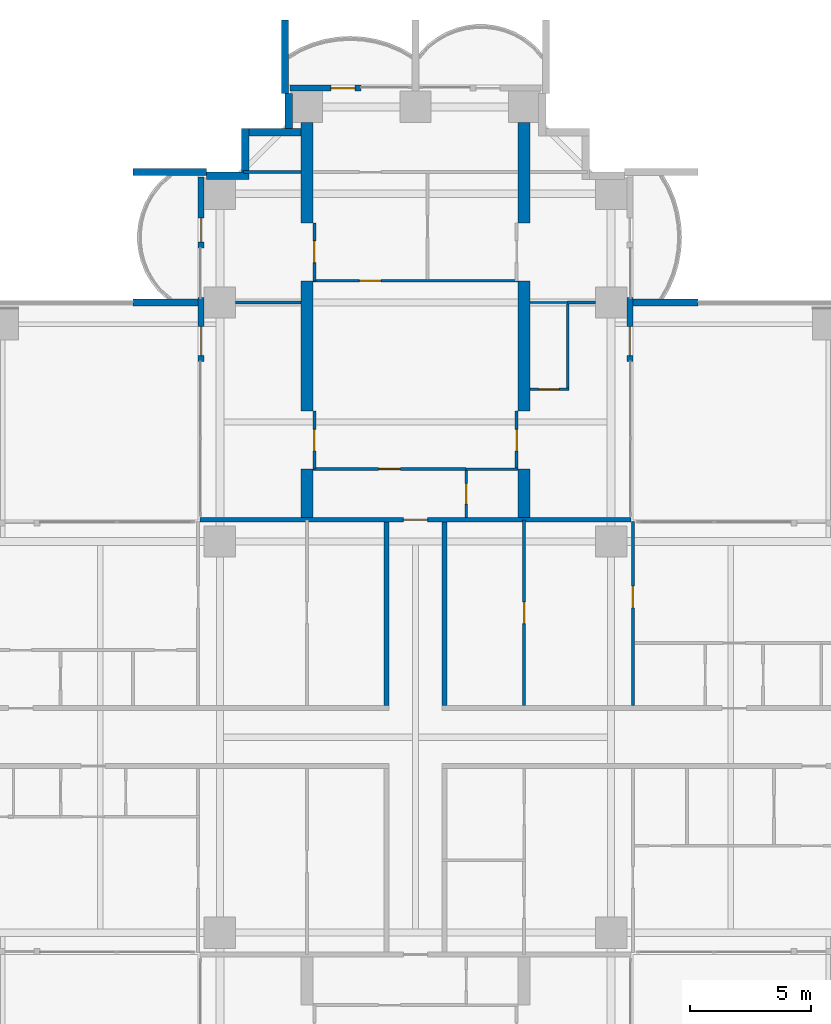
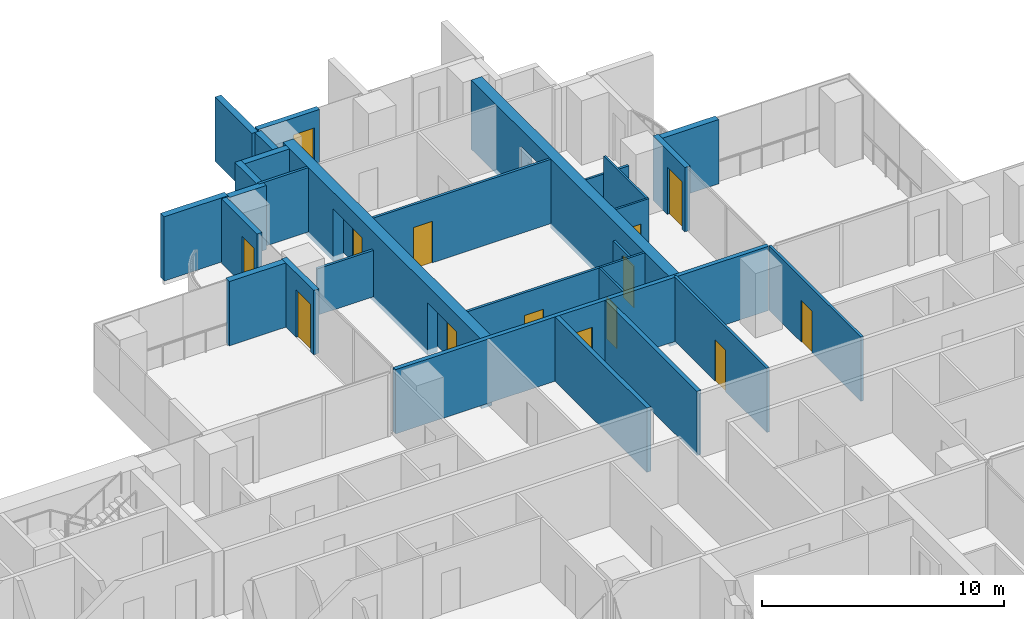
# One storey, part 14 of 20: 32 walls, 14 doors, 14 openings.
"""IFC4 building model written with IfcOpenShell, lengths in metres."""

from ifc_helpers import new_model, si_unit, direction, frame, frame_2d, origin, place, context, subcontext, project, spatial, polyline, rectangle, outline, extrude, material, layer, layer_set, material_profile, profile_set, type_object, element, fill, save


model = new_model("IFC4")

# Units and contexts
model_context = context("Model", 3, precision=1e-05, world=origin(), true_north=direction((0.0, 1.0)))
body_context = subcontext(model_context, "Body", "Model", "MODEL_VIEW")
ifc_project = project(units=[si_unit("LENGTHUNIT", "METRE"), si_unit("AREAUNIT", "SQUARE_METRE"), si_unit("VOLUMEUNIT", "CUBIC_METRE"), si_unit("PLANEANGLEUNIT", "RADIAN"), si_unit("MASSUNIT", "GRAM", prefix="KILO")], contexts=[model_context])

# Site, building, storey
site_placement = place(None, origin())
site = spatial("IfcSite", under=ifc_project, at=site_placement, CompositionType="ELEMENT")
building_placement = place(site_placement, origin())
building = spatial("IfcBuilding", under=site, at=building_placement, Name="Perihelion Cross Residences", CompositionType="ELEMENT")
storey_placement = place(building_placement, frame((0.0, 0.0, 78.5)))
storey = spatial("IfcBuildingStorey", under=building, at=storey_placement, Name="L17", CompositionType="ELEMENT", Elevation=78.5)

# Walls
ifc_material_1 = material(Name="Plasterboard partition")
ifc_layer_1 = layer(ifc_material_1, 0.199951171875)
ifc_layer_set_1 = layer_set([ifc_layer_1], Name="Apartment separation wall 200")
wall_type_1 = type_object("IfcWallType", Name="Apartment separation wall 200", PredefinedType="PARTITIONING", material=ifc_layer_set_1)
for number, where, z_axis, x_axis, name in (
    (1, (1.199951171875, 8.89990234375, 0.0), (0.0, 0.0, 1.0), (0.0, -1.0, 0.0), "Partition L17 W002"),
    (2, (-1.199951171875, 1.300048828125, 0.0), (0.0, 0.0, 1.0), (0.0, 1.0, 0.0), "Partition L17 W006"),
):
    element("IfcWall", number, at=place(storey_placement, frame(where, z_axis=z_axis, x_axis=x_axis)), inside=storey, type_object=wall_type_1, Name=name, PredefinedType="PARTITIONING", context=body_context, shape_type="SweptSolid", body=[
        extrude(rectangle(XDim=7.599853515625, YDim=0.199951171875, at=frame_2d((3.7998046875, 0.0))), origin(), (0.0, 0.0, 1.0), 3.25),
    ])

# Wall, opening, door
wall_1_placement = place(storey_placement, frame((-8.919921875, 9.0, 0.0), z_axis=(0.0, 0.0, 1.0), x_axis=(1.0, 0.0, 0.0)))
wall_1 = element("IfcWall", 3, at=wall_1_placement, inside=storey, type_object=wall_type_1, Name="Partition L17 W009", PredefinedType="PARTITIONING", context=body_context, shape_type="SweptSolid", body=[
    extrude(rectangle(XDim=17.83984375, YDim=0.199951171875, at=frame_2d((8.919921875, 0.0))), origin(), (0.0, 0.0, 1.0), 3.25),
])
opening_1_placement = place(wall_1_placement, frame((8.419921875, 0.0, 0.0)))
opening_1 = element("IfcOpeningElement", 4, at=opening_1_placement, cuts=wall_1, Name="Opening L17.A31", PredefinedType="OPENING", context=body_context, shape_type="SweptSolid", body=[
    extrude(rectangle(XDim=1.0, YDim=2.10009765625, at=frame_2d((0.5, 1.050048828125))), frame((0.0, 0.10986328125, 0.0), z_axis=(0.0, -1.0, 0.0), x_axis=(1.0, 0.0, 0.0)), (0.0, 0.0, 1.0), 0.219970703125),
])
ifc_material_2 = material(Name="Timber door leaf", Category="wood")
door_type_1 = type_object("IfcDoorType", Name="Flat entrance door 1000 x 2100", OperationType="SINGLE_SWING_LEFT", PredefinedType="DOOR", material=ifc_material_2)
door_1_placement = place(opening_1_placement, origin())
door_1 = element("IfcDoor", 5, at=door_1_placement, inside=storey, type_object=door_type_1, Name="Door L17.A31", OperationType="SINGLE_SWING_LEFT", OverallHeight=2.10009765625, OverallWidth=1.0, PredefinedType="DOOR", context=body_context, shape_type="SweptSolid", body=[
    extrude(rectangle(XDim=1.0, YDim=2.10009765625, at=frame_2d((0.5, 1.050048828125))), frame((0.0, 0.02490234375, 0.0), z_axis=(0.0, -1.0, 0.0), x_axis=(1.0, 0.0, 0.0)), (0.0, 0.0, 1.0), 0.050048828125),
])
fill(opening_1, door_1)

ifc_material_3 = material(Name="Concrete C30/37, bronze-clad", Category="concrete")
ifc_layer_2 = layer(ifc_material_3, 0.25)
ifc_layer_set_2 = layer_set([ifc_layer_2], Name="Bronze-clad pier wall 250")
wall_type_2 = type_object("IfcWallType", Name="Bronze-clad pier wall 250", PredefinedType="SOLIDWALL", material=ifc_layer_set_2)
wall_2_placement = place(storey_placement, frame((8.875, 15.550048828125, 0.0), z_axis=(0.0, 0.0, 1.0), x_axis=(0.0, 1.0, 0.0)))
wall_2 = element("IfcWall", 6, at=wall_2_placement, inside=storey, type_object=wall_type_2, Name="Wall FW1 L17 north side east bay 1 pier", PredefinedType="SOLIDWALL", context=body_context, shape_type="SweptSolid", body=[
    extrude(rectangle(XDim=2.64990234375, YDim=0.25, at=frame_2d((1.324951171875, 0.0))), origin(), (0.0, 0.0, 1.0), 3.25),
])
opening_2_placement = place(wall_2_placement, frame((0.25, 0.0, 0.0)))
opening_2 = element("IfcOpeningElement", 7, at=opening_2_placement, cuts=wall_2, Name="Opening L17.E02", PredefinedType="OPENING", context=body_context, shape_type="SweptSolid", body=[
    extrude(rectangle(XDim=1.199951171875, YDim=2.39990234375, at=frame_2d((0.60009765625, 1.199951171875))), frame((0.0, 0.135009765625, 0.0), z_axis=(0.0, -1.0, 0.0), x_axis=(1.0, 0.0, 0.0)), (0.0, 0.0, 1.0), 0.27001953125),
])
ifc_material_4 = material(Name="Bronze anodised aluminium, glazed", Category="aluminium")
door_type_2 = type_object("IfcDoorType", Name="Balcony door 1200 x 2400", OperationType="NOTDEFINED", PredefinedType="DOOR", material=ifc_material_4)
door_2_placement = place(opening_2_placement, origin())
door_2 = element("IfcDoor", 8, at=door_2_placement, inside=storey, type_object=door_type_2, Name="Door L17.E02 north side east bay 1", OperationType="SINGLE_SWING_LEFT", OverallHeight=2.39990234375, OverallWidth=1.199951171875, PredefinedType="DOOR", context=body_context, shape_type="SweptSolid", body=[
    extrude(rectangle(XDim=1.199951171875, YDim=2.39990234375, at=frame_2d((0.60009765625, 1.199951171875))), frame((0.0, 0.02490234375, 0.0), z_axis=(0.0, -1.0, 0.0), x_axis=(1.0, 0.0, 0.0)), (0.0, 0.0, 1.0), 0.050048828125),
])
fill(opening_2, door_2)

wall_3_placement = place(storey_placement, frame((-2.25, 26.875, 0.0), z_axis=(0.0, 0.0, 1.0), x_axis=(-1.0, 0.0, 0.0)))
wall_3 = element("IfcWall", 9, at=wall_3_placement, inside=storey, type_object=wall_type_2, Name="Wall FW1 L17 north tip north bay 2 pier", PredefinedType="SOLIDWALL", context=body_context, shape_type="SweptSolid", body=[
    extrude(rectangle(XDim=2.949951171875, YDim=0.25, at=frame_2d((1.47509765625, 0.0))), origin(), (0.0, 0.0, 1.0), 3.25),
])
opening_3_placement = place(wall_3_placement, frame((0.25, 0.0, 0.0)))
opening_3 = element("IfcOpeningElement", 10, at=opening_3_placement, cuts=wall_3, Name="Opening L17.E05", PredefinedType="OPENING", context=body_context, shape_type="SweptSolid", body=[
    extrude(rectangle(XDim=1.0, YDim=2.39990234375, at=frame_2d((0.5, 1.199951171875))), frame((0.0, 0.135009765625, 0.0), z_axis=(0.0, -1.0, 0.0), x_axis=(1.0, 0.0, 0.0)), (0.0, 0.0, 1.0), 0.27001953125),
])
ifc_material_5 = material(Name="Bronze anodised aluminium, glazed", Category="aluminium")
door_type_3 = type_object("IfcDoorType", Name="Balcony door 1000 x 2400", OperationType="NOTDEFINED", PredefinedType="DOOR", material=ifc_material_5)
door_3_placement = place(opening_3_placement, origin())
door_3 = element("IfcDoor", 11, at=door_3_placement, inside=storey, type_object=door_type_3, Name="Door L17.E05 north tip north bay 2", OperationType="SINGLE_SWING_RIGHT", OverallHeight=2.39990234375, OverallWidth=1.0, PredefinedType="DOOR", context=body_context, shape_type="SweptSolid", body=[
    extrude(rectangle(XDim=1.0, YDim=2.39990234375, at=frame_2d((0.5, 1.199951171875))), frame((0.0, 0.02490234375, 0.0), z_axis=(0.0, -1.0, 0.0), x_axis=(1.0, 0.0, 0.0)), (0.0, 0.0, 1.0), 0.050048828125),
])
fill(opening_3, door_3)

wall_4_placement = place(storey_placement, frame((-8.875, 23.199951171875, 0.0), z_axis=(0.0, 0.0, 1.0), x_axis=(0.0, -1.0, 0.0)))
wall_4 = element("IfcWall", 12, at=wall_4_placement, inside=storey, type_object=wall_type_2, Name="Wall FW1 L17 north side west bay 1 pier", PredefinedType="SOLIDWALL", context=body_context, shape_type="SweptSolid", body=[
    extrude(rectangle(XDim=2.949951171875, YDim=0.25, at=frame_2d((1.47509765625, 0.0))), origin(), (0.0, 0.0, 1.0), 3.25),
])
opening_4_placement = place(wall_4_placement, frame((1.699951171875, 0.0, 0.0)))
opening_4 = element("IfcOpeningElement", 13, at=opening_4_placement, cuts=wall_4, Name="Opening L17.E06", PredefinedType="OPENING", context=body_context, shape_type="SweptSolid", body=[
    extrude(rectangle(XDim=1.0, YDim=2.39990234375, at=frame_2d((0.5, 1.199951171875))), frame((0.0, 0.135009765625, 0.0), z_axis=(0.0, -1.0, 0.0), x_axis=(1.0, 0.0, 0.0)), (0.0, 0.0, 1.0), 0.27001953125),
])
door_4_placement = place(opening_4_placement, origin())
door_4 = element("IfcDoor", 14, at=door_4_placement, inside=storey, type_object=door_type_3, Name="Door L17.E06 north side west bay 1", OperationType="SINGLE_SWING_LEFT", OverallHeight=2.39990234375, OverallWidth=1.0, PredefinedType="DOOR", context=body_context, shape_type="SweptSolid", body=[
    extrude(rectangle(XDim=1.0, YDim=2.39990234375, at=frame_2d((0.5, 1.199951171875))), frame((0.0, 0.02490234375, 0.0), z_axis=(0.0, -1.0, 0.0), x_axis=(1.0, 0.0, 0.0)), (0.0, 0.0, 1.0), 0.050048828125),
])
fill(opening_4, door_4)

wall_5_placement = place(storey_placement, frame((-8.875, 18.199951171875, 0.0), z_axis=(0.0, 0.0, 1.0), x_axis=(0.0, -1.0, 0.0)))
wall_5 = element("IfcWall", 15, at=wall_5_placement, inside=storey, type_object=wall_type_2, Name="Wall FW1 L17 north side west bay 2 pier", PredefinedType="SOLIDWALL", context=body_context, shape_type="SweptSolid", body=[
    extrude(rectangle(XDim=2.64990234375, YDim=0.25, at=frame_2d((1.324951171875, 0.0))), origin(), (0.0, 0.0, 1.0), 3.25),
])
opening_5_placement = place(wall_5_placement, frame((1.199951171875, 0.0, 0.0)))
opening_5 = element("IfcOpeningElement", 16, at=opening_5_placement, cuts=wall_5, Name="Opening L17.E07", PredefinedType="OPENING", context=body_context, shape_type="SweptSolid", body=[
    extrude(rectangle(XDim=1.199951171875, YDim=2.39990234375, at=frame_2d((0.60009765625, 1.199951171875))), frame((0.0, 0.135009765625, 0.0), z_axis=(0.0, -1.0, 0.0), x_axis=(1.0, 0.0, 0.0)), (0.0, 0.0, 1.0), 0.27001953125),
])
door_5_placement = place(opening_5_placement, origin())
door_5 = element("IfcDoor", 17, at=door_5_placement, inside=storey, type_object=door_type_2, Name="Door L17.E07 north side west bay 2", OperationType="SINGLE_SWING_RIGHT", OverallHeight=2.39990234375, OverallWidth=1.199951171875, PredefinedType="DOOR", context=body_context, shape_type="SweptSolid", body=[
    extrude(rectangle(XDim=1.199951171875, YDim=2.39990234375, at=frame_2d((0.60009765625, 1.199951171875))), frame((0.0, 0.02490234375, 0.0), z_axis=(0.0, -1.0, 0.0), x_axis=(1.0, 0.0, 0.0)), (0.0, 0.0, 1.0), 0.050048828125),
])
fill(opening_5, door_5)

# Walls
ifc_material_6 = material(Name="Concrete C30/37, bronze-clad", Category="concrete")
ifc_layer_3 = layer(ifc_material_6, 0.300048828125)
ifc_layer_set_3 = layer_set([ifc_layer_3], Name="Bronze-clad serration wall 300")
wall_type_3 = type_object("IfcWallType", Name="Bronze-clad serration wall 300", PredefinedType="SOLIDWALL", material=ifc_layer_set_3)
wall_6_placement = place(storey_placement, frame((-5.25, 26.64990234375, 0.0), z_axis=(0.0, 0.0, 1.0), x_axis=(0.0, -1.0, 0.0)))
element("IfcWall", 18, at=wall_6_placement, inside=storey, type_object=wall_type_3, Name="Wall SR1 L17 north corner north-west 1", PredefinedType="SOLIDWALL", context=body_context, shape_type="SweptSolid", body=[
    extrude(rectangle(XDim=1.449951171875, YDim=0.300048828125, at=frame_2d((0.72509765625, 0.0))), origin(), (0.0, 0.0, 1.0), 3.25),
])
wall_7_placement = place(storey_placement, frame((-4.75, 25.050048828125, 0.0), z_axis=(0.0, 0.0, 1.0), x_axis=(-1.0, 0.0, 0.0)))
element("IfcWall", 19, at=wall_7_placement, inside=storey, type_object=wall_type_3, Name="Wall SR1 L17 north corner north-west 2", PredefinedType="SOLIDWALL", context=body_context, shape_type="SweptSolid", body=[
    extrude(rectangle(XDim=2.14990234375, YDim=0.300048828125, at=frame_2d((1.074951171875, 0.0))), origin(), (0.0, 0.0, 1.0), 3.25),
])
wall_8_placement = place(storey_placement, frame((-7.050048828125, 25.199951171875, 0.0), z_axis=(0.0, 0.0, 1.0), x_axis=(0.0, -1.0, 0.0)))
element("IfcWall", 20, at=wall_8_placement, inside=storey, type_object=wall_type_3, Name="Wall SR1 L17 north corner north-west 3", PredefinedType="SOLIDWALL", context=body_context, shape_type="SweptSolid", body=[
    extrude(rectangle(XDim=1.800048828125, YDim=0.300048828125, at=frame_2d((0.89990234375, 0.0))), origin(), (0.0, 0.0, 1.0), 3.25),
])
wall_9_placement = place(storey_placement, frame((-6.89990234375, 23.25, 0.0), z_axis=(0.0, 0.0, 1.0), x_axis=(-1.0, 0.0, 0.0)))
element("IfcWall", 21, at=wall_9_placement, inside=storey, type_object=wall_type_3, Name="Wall SR1 L17 north corner north-west 4", PredefinedType="SOLIDWALL", context=body_context, shape_type="SweptSolid", body=[
    extrude(rectangle(XDim=1.75, YDim=0.300048828125, at=frame_2d((0.875, 0.0))), origin(), (0.0, 0.0, 1.0), 3.25),
])

# Wall, opening, door
ifc_material_7 = material(Name="Plasterboard partition")
ifc_layer_4 = layer(ifc_material_7, 0.1201171875)
ifc_layer_set_4 = layer_set([ifc_layer_4], Name="Infill panel 120")
wall_type_4 = type_object("IfcWallType", Name="Infill panel 120", PredefinedType="PARTITIONING", material=ifc_layer_set_4)
wall_10_placement = place(storey_placement, frame((4.18994140625, 11.10009765625, 0.0), z_axis=(0.0, 0.0, 1.0), x_axis=(0.0, 1.0, 0.0)))
wall_10 = element("IfcWall", 22, at=wall_10_placement, inside=storey, type_object=wall_type_4, Name="Partition L17 WI01", PredefinedType="PARTITIONING", context=body_context, shape_type="SweptSolid", body=[
    extrude(rectangle(XDim=2.39990234375, YDim=0.1201171875, at=frame_2d((1.199951171875, 0.0))), origin(), (0.0, 0.0, 1.0), 2.39990234375),
])
opening_6_placement = place(wall_10_placement, frame((0.75, 0.0, 0.0)))
opening_6 = element("IfcOpeningElement", 23, at=opening_6_placement, cuts=wall_10, Name="Opening L17.A49", PredefinedType="OPENING", context=body_context, shape_type="SweptSolid", body=[
    extrude(rectangle(XDim=0.89990234375, YDim=2.10009765625, at=frame_2d((0.449951171875, 1.050048828125))), frame((0.0, 0.070068359375, 0.0), z_axis=(0.0, -1.0, 0.0), x_axis=(1.0, 0.0, 0.0)), (0.0, 0.0, 1.0), 0.14013671875),
])
ifc_material_8 = material(Name="Timber door leaf", Category="wood")
door_type_4 = type_object("IfcDoorType", Name="Interior room door 900 x 2100", OperationType="SINGLE_SWING_LEFT", PredefinedType="DOOR", material=ifc_material_8)
door_6_placement = place(opening_6_placement, origin())
door_6 = element("IfcDoor", 24, at=door_6_placement, inside=storey, type_object=door_type_4, Name="Door L17.A49", OperationType="SINGLE_SWING_LEFT", OverallHeight=2.10009765625, OverallWidth=0.89990234375, PredefinedType="DOOR", context=body_context, shape_type="SweptSolid", body=[
    extrude(rectangle(XDim=0.89990234375, YDim=2.10009765625, at=frame_2d((0.449951171875, 1.050048828125))), frame((0.0, 0.02490234375, 0.0), z_axis=(0.0, -1.0, 0.0), x_axis=(1.0, 0.0, 0.0)), (0.0, 0.0, 1.0), 0.050048828125),
])
fill(opening_6, door_6)

wall_11_placement = place(storey_placement, frame((-4.18994140625, 11.10009765625, 0.0), z_axis=(0.0, 0.0, 1.0), x_axis=(0.0, 1.0, 0.0)))
wall_11 = element("IfcWall", 25, at=wall_11_placement, inside=storey, type_object=wall_type_4, Name="Partition L17 WI03", PredefinedType="PARTITIONING", context=body_context, shape_type="SweptSolid", body=[
    extrude(rectangle(XDim=2.39990234375, YDim=0.1201171875, at=frame_2d((1.199951171875, 0.0))), origin(), (0.0, 0.0, 1.0), 2.39990234375),
])
opening_7_placement = place(wall_11_placement, frame((0.75, 0.0, 0.0)))
opening_7 = element("IfcOpeningElement", 26, at=opening_7_placement, cuts=wall_11, Name="Opening L17.A51", PredefinedType="OPENING", context=body_context, shape_type="SweptSolid", body=[
    extrude(rectangle(XDim=0.89990234375, YDim=2.10009765625, at=frame_2d((0.449951171875, 1.050048828125))), frame((0.0, 0.070068359375, 0.0), z_axis=(0.0, -1.0, 0.0), x_axis=(1.0, 0.0, 0.0)), (0.0, 0.0, 1.0), 0.14013671875),
])
door_7_placement = place(opening_7_placement, origin())
door_7 = element("IfcDoor", 27, at=door_7_placement, inside=storey, type_object=door_type_4, Name="Door L17.A51", OperationType="SINGLE_SWING_RIGHT", OverallHeight=2.10009765625, OverallWidth=0.89990234375, PredefinedType="DOOR", context=body_context, shape_type="SweptSolid", body=[
    extrude(rectangle(XDim=0.89990234375, YDim=2.10009765625, at=frame_2d((0.449951171875, 1.050048828125))), frame((0.0, 0.02490234375, 0.0), z_axis=(0.0, -1.0, 0.0), x_axis=(1.0, 0.0, 0.0)), (0.0, 0.0, 1.0), 0.050048828125),
])
fill(opening_7, door_7)

wall_12_placement = place(storey_placement, frame((-4.18994140625, 18.89990234375, 0.0), z_axis=(0.0, 0.0, 1.0), x_axis=(0.0, 1.0, 0.0)))
wall_12 = element("IfcWall", 28, at=wall_12_placement, inside=storey, type_object=wall_type_4, Name="Partition L17 WI04", PredefinedType="PARTITIONING", context=body_context, shape_type="SweptSolid", body=[
    extrude(rectangle(XDim=2.400146484375, YDim=0.1201171875, at=frame_2d((1.2001953125, 0.0))), origin(), (0.0, 0.0, 1.0), 2.39990234375),
])
opening_8_placement = place(wall_12_placement, frame((0.75, 0.0, 0.0)))
opening_8 = element("IfcOpeningElement", 29, at=opening_8_placement, cuts=wall_12, Name="Opening L17.A52", PredefinedType="OPENING", context=body_context, shape_type="SweptSolid", body=[
    extrude(rectangle(XDim=0.89990234375, YDim=2.10009765625, at=frame_2d((0.449951171875, 1.050048828125))), frame((0.0, 0.070068359375, 0.0), z_axis=(0.0, -1.0, 0.0), x_axis=(1.0, 0.0, 0.0)), (0.0, 0.0, 1.0), 0.14013671875),
])
door_8_placement = place(opening_8_placement, origin())
door_8 = element("IfcDoor", 30, at=door_8_placement, inside=storey, type_object=door_type_4, Name="Door L17.A52", OperationType="SINGLE_SWING_LEFT", OverallHeight=2.10009765625, OverallWidth=0.89990234375, PredefinedType="DOOR", context=body_context, shape_type="SweptSolid", body=[
    extrude(rectangle(XDim=0.89990234375, YDim=2.10009765625, at=frame_2d((0.449951171875, 1.050048828125))), frame((0.0, 0.02490234375, 0.0), z_axis=(0.0, -1.0, 0.0), x_axis=(1.0, 0.0, 0.0)), (0.0, 0.0, 1.0), 0.050048828125),
])
fill(opening_8, door_8)

ifc_material_9 = material(Name="Plasterboard partition")
ifc_layer_5 = layer(ifc_material_9, 0.1201171875)
ifc_layer_set_5 = layer_set([ifc_layer_5], Name="Partition wall 120")
wall_type_5 = type_object("IfcWallType", Name="Partition wall 120", PredefinedType="PARTITIONING", material=ifc_layer_set_5)
wall_13_placement = place(storey_placement, frame((9.0, 1.300048828125, 0.0), z_axis=(0.0, 0.0, 1.0), x_axis=(0.0, 1.0, 0.0)))
wall_13 = element("IfcWall", 31, at=wall_13_placement, inside=storey, type_object=wall_type_5, Name="Partition L17 W013", PredefinedType="PARTITIONING", context=body_context, shape_type="SweptSolid", body=[
    extrude(rectangle(XDim=7.619873046875, YDim=0.1201171875, at=frame_2d((3.81005859375, 0.0))), origin(), (0.0, 0.0, 1.0), 3.25),
])
opening_9_placement = place(wall_13_placement, frame((4.050048828125, 0.0, 0.0)))
opening_9 = element("IfcOpeningElement", 32, at=opening_9_placement, cuts=wall_13, Name="Opening L17.A06", PredefinedType="OPENING", context=body_context, shape_type="SweptSolid", body=[
    extrude(rectangle(XDim=0.89990234375, YDim=2.10009765625, at=frame_2d((0.449951171875, 1.050048828125))), frame((0.0, 0.070068359375, 0.0), z_axis=(0.0, -1.0, 0.0), x_axis=(1.0, 0.0, 0.0)), (0.0, 0.0, 1.0), 0.14013671875),
])
door_9_placement = place(opening_9_placement, origin())
door_9 = element("IfcDoor", 33, at=door_9_placement, inside=storey, type_object=door_type_4, Name="Door L17.A06", OperationType="SINGLE_SWING_RIGHT", OverallHeight=2.10009765625, OverallWidth=0.89990234375, PredefinedType="DOOR", context=body_context, shape_type="SweptSolid", body=[
    extrude(rectangle(XDim=0.89990234375, YDim=2.10009765625, at=frame_2d((0.449951171875, 1.050048828125))), frame((0.0, 0.02490234375, 0.0), z_axis=(0.0, -1.0, 0.0), x_axis=(1.0, 0.0, 0.0)), (0.0, 0.0, 1.0), 0.050048828125),
])
fill(opening_9, door_9)

wall_14_placement = place(storey_placement, frame((4.5, 1.300048828125, 0.0), z_axis=(0.0, 0.0, 1.0), x_axis=(0.0, 1.0, 0.0)))
wall_14 = element("IfcWall", 34, at=wall_14_placement, inside=storey, type_object=wall_type_5, Name="Partition L17 W019", PredefinedType="PARTITIONING", context=body_context, shape_type="SweptSolid", body=[
    extrude(rectangle(XDim=7.699951171875, YDim=0.1201171875, at=frame_2d((3.85009765625, 0.0))), origin(), (0.0, 0.0, 1.0), 3.25),
])
opening_10_placement = place(wall_14_placement, frame((3.39990234375, 0.0, 0.0)))
opening_10 = element("IfcOpeningElement", 35, at=opening_10_placement, cuts=wall_14, Name="Opening L17.A02", PredefinedType="OPENING", context=body_context, shape_type="SweptSolid", body=[
    extrude(rectangle(XDim=0.89990234375, YDim=2.10009765625, at=frame_2d((0.449951171875, 1.050048828125))), frame((0.0, 0.070068359375, 0.0), z_axis=(0.0, -1.0, 0.0), x_axis=(1.0, 0.0, 0.0)), (0.0, 0.0, 1.0), 0.14013671875),
])
door_10_placement = place(opening_10_placement, origin())
door_10 = element("IfcDoor", 36, at=door_10_placement, inside=storey, type_object=door_type_4, Name="Door L17.A02", OperationType="SINGLE_SWING_LEFT", OverallHeight=2.10009765625, OverallWidth=0.89990234375, PredefinedType="DOOR", context=body_context, shape_type="SweptSolid", body=[
    extrude(rectangle(XDim=0.89990234375, YDim=2.10009765625, at=frame_2d((0.449951171875, 1.050048828125))), frame((0.0, 0.02490234375, 0.0), z_axis=(0.0, -1.0, 0.0), x_axis=(1.0, 0.0, 0.0)), (0.0, 0.0, 1.0), 0.050048828125),
])
fill(opening_10, door_10)

wall_15_placement = place(storey_placement, frame((-4.25, 11.10009765625, 0.0), z_axis=(0.0, 0.0, 1.0), x_axis=(1.0, 0.0, 0.0)))
wall_15 = element("IfcWall", 37, at=wall_15_placement, inside=storey, type_object=wall_type_5, Name="Partition L17 W049", PredefinedType="PARTITIONING", context=body_context, shape_type="SweptSolid", body=[
    extrude(rectangle(XDim=6.35009765625, YDim=0.1201171875, at=frame_2d((3.175048828125, 0.0))), origin(), (0.0, 0.0, 1.0), 3.25),
])
opening_11_placement = place(wall_15_placement, frame((2.72509765625, 0.0, 0.0)))
opening_11 = element("IfcOpeningElement", 38, at=opening_11_placement, cuts=wall_15, Name="Opening L17.A33", PredefinedType="OPENING", context=body_context, shape_type="SweptSolid", body=[
    extrude(rectangle(XDim=0.89990234375, YDim=2.10009765625, at=frame_2d((0.449951171875, 1.050048828125))), frame((0.0, 0.070068359375, 0.0), z_axis=(0.0, -1.0, 0.0), x_axis=(1.0, 0.0, 0.0)), (0.0, 0.0, 1.0), 0.14013671875),
])
door_11_placement = place(opening_11_placement, origin())
door_11 = element("IfcDoor", 39, at=door_11_placement, inside=storey, type_object=door_type_4, Name="Door L17.A33", OperationType="SINGLE_SWING_RIGHT", OverallHeight=2.10009765625, OverallWidth=0.89990234375, PredefinedType="DOOR", context=body_context, shape_type="SweptSolid", body=[
    extrude(rectangle(XDim=0.89990234375, YDim=2.10009765625, at=frame_2d((0.449951171875, 1.050048828125))), frame((0.0, 0.02490234375, 0.0), z_axis=(0.0, -1.0, 0.0), x_axis=(1.0, 0.0, 0.0)), (0.0, 0.0, 1.0), 0.050048828125),
])
fill(opening_11, door_11)

wall_16_placement = place(storey_placement, frame((-4.25, 18.89990234375, 0.0), z_axis=(0.0, 0.0, 1.0), x_axis=(1.0, 0.0, 0.0)))
wall_16 = element("IfcWall", 40, at=wall_16_placement, inside=storey, type_object=wall_type_5, Name="Partition L17 W051", PredefinedType="PARTITIONING", context=body_context, shape_type="SweptSolid", body=[
    extrude(rectangle(XDim=8.5, YDim=0.1201171875, at=frame_2d((4.25, 0.0))), origin(), (0.0, 0.0, 1.0), 3.25),
])
opening_12_placement = place(wall_16_placement, frame((1.925048828125, 0.0, 0.0)))
opening_12 = element("IfcOpeningElement", 41, at=opening_12_placement, cuts=wall_16, Name="Opening L17.A34", PredefinedType="OPENING", context=body_context, shape_type="SweptSolid", body=[
    extrude(rectangle(XDim=0.89990234375, YDim=2.10009765625, at=frame_2d((0.449951171875, 1.050048828125))), frame((0.0, 0.070068359375, 0.0), z_axis=(0.0, -1.0, 0.0), x_axis=(1.0, 0.0, 0.0)), (0.0, 0.0, 1.0), 0.14013671875),
])
door_12_placement = place(opening_12_placement, origin())
door_12 = element("IfcDoor", 42, at=door_12_placement, inside=storey, type_object=door_type_4, Name="Door L17.A34", OperationType="SINGLE_SWING_LEFT", OverallHeight=2.10009765625, OverallWidth=0.89990234375, PredefinedType="DOOR", context=body_context, shape_type="SweptSolid", body=[
    extrude(rectangle(XDim=0.89990234375, YDim=2.10009765625, at=frame_2d((0.449951171875, 1.050048828125))), frame((0.0, 0.02490234375, 0.0), z_axis=(0.0, -1.0, 0.0), x_axis=(1.0, 0.0, 0.0)), (0.0, 0.0, 1.0), 0.050048828125),
])
fill(opening_12, door_12)

# Walls
wall_17_placement = place(storey_placement, frame((6.300048828125, 18.0, 0.0), z_axis=(0.0, 0.0, 1.0), x_axis=(1.0, 0.0, 0.0)))
element("IfcWall", 43, at=wall_17_placement, inside=storey, type_object=wall_type_5, Name="Partition L17 W056", PredefinedType="PARTITIONING", context=body_context, shape_type="SweptSolid", body=[
    extrude(rectangle(XDim=1.14990234375, YDim=0.1201171875, at=frame_2d((0.574951171875, 0.0))), origin(), (0.0, 0.0, 1.0), 2.345947265625),
])
wall_18_placement = place(storey_placement, frame((-7.449951171875, 18.0, 0.0), z_axis=(0.0, 0.0, 1.0), x_axis=(1.0, 0.0, 0.0)))
element("IfcWall", 44, at=wall_18_placement, inside=storey, type_object=wall_type_5, Name="Partition L17 W059", PredefinedType="PARTITIONING", context=body_context, shape_type="SweptSolid", body=[
    extrude(rectangle(XDim=2.699951171875, YDim=0.1201171875, at=frame_2d((1.35009765625, 0.0))), origin(), (0.0, 0.0, 1.0), 2.345947265625),
])
wall_19_placement = place(storey_placement, frame((-7.1201171875, 23.39990234375, 0.0), z_axis=(0.0, 0.0, 1.0), x_axis=(1.0, 0.0, 0.0)))
element("IfcWall", 45, at=wall_19_placement, inside=storey, type_object=wall_type_5, Name="Partition L17 W060", PredefinedType="PARTITIONING", context=body_context, shape_type="SweptSolid", body=[
    extrude(rectangle(XDim=2.3701171875, YDim=0.1201171875, at=frame_2d((1.18505859375, 0.0))), origin(), (0.0, 0.0, 1.0), 3.25),
])
ifc_material_10 = material(Name="Precast concrete C50/60", Category="concrete")
ifc_layer_6 = layer(ifc_material_10, 0.300048828125)
ifc_layer_set_6 = layer_set([ifc_layer_6], Name="Precast concrete C50/60 blade wall 300")
wall_type_6 = type_object("IfcWallType", Name="Precast concrete C50/60 blade wall 300", PredefinedType="SOLIDWALL", material=ifc_layer_set_6)
wall_20_placement = place(storey_placement, frame((-8.75, 18.0, 0.0), z_axis=(0.0, 0.0, 1.0), x_axis=(-1.0, 0.0, 0.0)))
element("IfcWall", 46, at=wall_20_placement, inside=storey, type_object=wall_type_6, Name="Wall BL1 L17 no. 7", PredefinedType="SOLIDWALL", context=body_context, shape_type="SweptSolid", body=[
    extrude(rectangle(XDim=2.949951171875, YDim=0.300048828125, at=frame_2d((1.47509765625, 0.0))), origin(), (0.0, 0.0, 1.0), 3.25),
])
for number, where, z_axis, x_axis, name in (
    (47, (-8.64990234375, 23.39990234375, 0.0), (0.0, 0.0, 1.0), (-1.0, 0.0, 0.0), "Wall BL1 L17 no. 8"),
    (48, (-5.39990234375, 26.64990234375, 0.0), (0.0, 0.0, 1.0), (0.0, 1.0, 0.0), "Wall BL1 L17 no. 4"),
):
    element("IfcWall", number, at=place(storey_placement, frame(where, z_axis=z_axis, x_axis=x_axis)), inside=storey, type_object=wall_type_6, Name=name, PredefinedType="SOLIDWALL", context=body_context, shape_type="SweptSolid", body=[
        extrude(rectangle(XDim=3.050048828125, YDim=0.300048828125, at=frame_2d((1.52490234375, 0.0))), origin(), (0.0, 0.0, 1.0), 3.25),
    ])
wall_21_placement = place(storey_placement, frame((8.75, 18.0, 0.0), z_axis=(0.0, 0.0, 1.0), x_axis=(1.0, 0.0, 0.0)))
element("IfcWall", 49, at=wall_21_placement, inside=storey, type_object=wall_type_6, Name="Wall BL1 L17 no. 17", PredefinedType="SOLIDWALL", context=body_context, shape_type="SweptSolid", body=[
    extrude(rectangle(XDim=2.949951171875, YDim=0.300048828125, at=frame_2d((1.47509765625, 0.0))), origin(), (0.0, 0.0, 1.0), 3.25),
])
ifc_material_11 = material(Name="Concrete C60/75", Category="concrete")
ifc_material_profile = material_profile(ifc_material_11, outline(polyline([(0.0, 0.0), (2.10009765625, 0.0), (2.10009765625, 2.64990234375), (4.5, 2.64990234375), (4.5, 0.0), (9.89990234375, 0.0), (9.89990234375, 2.64990234375), (12.300048828125, 2.64990234375), (12.300048828125, 0.0), (16.449951171875, 0.0), (16.449951171875, 3.5), (0.0, 3.5), (0.0, 0.0)])), Name="Tip spine wall")
ifc_profile_set = profile_set([ifc_material_profile], Name="Concrete C60/75")
wall_type_7 = type_object("IfcWallType", Name="Tip spine wall 500 with 2 door openings 16450 long 3500 high concrete C60/75 hand B", PredefinedType="SHEAR", material=ifc_profile_set)
for number, where, z_axis, x_axis, name in (
    (50, (-4.75, 9.0, -0.25), (1.0, 0.0, 0.0), (0.0, 1.0, 0.0), "Shear wall SW23 L17 north west"),
    (51, (4.25, 9.0, -0.25), (1.0, 0.0, 0.0), (0.0, 1.0, 0.0), "Shear wall SW23 L17 north east"),
):
    element("IfcWall", number, at=place(storey_placement, frame(where, z_axis=z_axis, x_axis=x_axis)), inside=storey, type_object=wall_type_7, Name=name, PredefinedType="SHEAR", context=body_context, shape_type="SweptSolid", body=[
        extrude(outline(polyline([(0.0, 0.0), (2.10009765625, 0.0), (2.10009765625, 2.64990234375), (4.5, 2.64990234375), (4.5, 0.0), (9.89990234375, 0.0), (9.89990234375, 2.64990234375), (12.300048828125, 2.64990234375), (12.300048828125, 0.0), (16.449951171875, 0.0), (16.449951171875, 3.5), (0.0, 3.5), (0.0, 0.0)])), origin(), (0.0, 0.0, 1.0), 0.5),
    ])

# Wall, opening, door
ifc_material_12 = material(Name="Plasterboard partition")
ifc_layer_7 = layer(ifc_material_12, 0.10009765625)
ifc_layer_set_7 = layer_set([ifc_layer_7], Name="Wet room wall 100")
wall_type_8 = type_object("IfcWallType", Name="Wet room wall 100", PredefinedType="PARTITIONING", material=ifc_layer_set_7)
wall_22_placement = place(storey_placement, frame((2.10009765625, 11.0400390625, 0.0), z_axis=(0.0, 0.0, 1.0), x_axis=(0.0, -1.0, 0.0)))
wall_22 = element("IfcWall", 52, at=wall_22_placement, inside=storey, type_object=wall_type_8, Name="Partition L17 W048", PredefinedType="PARTITIONING", context=body_context, shape_type="SweptSolid", body=[
    extrude(rectangle(XDim=1.93994140625, YDim=0.10009765625, at=frame_2d((0.969970703125, 0.0))), origin(), (0.0, 0.0, 1.0), 3.25),
])
opening_13_placement = place(wall_22_placement, frame((0.544921875, 0.0, 0.0)))
opening_13 = element("IfcOpeningElement", 53, at=opening_13_placement, cuts=wall_22, Name="Opening L17.A32", PredefinedType="OPENING", context=body_context, shape_type="SweptSolid", body=[
    extrude(rectangle(XDim=0.85009765625, YDim=2.10009765625, at=frame_2d((0.425048828125, 1.050048828125))), frame((0.0, 0.06005859375, 0.0), z_axis=(0.0, -1.0, 0.0), x_axis=(1.0, 0.0, 0.0)), (0.0, 0.0, 1.0), 0.1201171875),
])
ifc_material_13 = material(Name="Timber door leaf", Category="wood")
door_type_5 = type_object("IfcDoorType", Name="Interior bathroom door 850 x 2100", OperationType="SINGLE_SWING_LEFT", PredefinedType="DOOR", material=ifc_material_13)
door_13_placement = place(opening_13_placement, origin())
door_13 = element("IfcDoor", 54, at=door_13_placement, inside=storey, type_object=door_type_5, Name="Door L17.A32", OperationType="SINGLE_SWING_RIGHT", OverallHeight=2.10009765625, OverallWidth=0.85009765625, PredefinedType="DOOR", context=body_context, shape_type="SweptSolid", body=[
    extrude(rectangle(XDim=0.85009765625, YDim=2.10009765625, at=frame_2d((0.425048828125, 1.050048828125))), frame((0.0, 0.02490234375, 0.0), z_axis=(0.0, -1.0, 0.0), x_axis=(1.0, 0.0, 0.0)), (0.0, 0.0, 1.0), 0.050048828125),
])
fill(opening_13, door_13)

# Wall
wall_23_placement = place(storey_placement, frame((2.10009765625, 11.10009765625, 0.0), z_axis=(0.0, 0.0, 1.0), x_axis=(1.0, 0.0, 0.0)))
element("IfcWall", 55, at=wall_23_placement, inside=storey, type_object=wall_type_8, Name="Partition L17 W050", PredefinedType="PARTITIONING", context=body_context, shape_type="SweptSolid", body=[
    extrude(rectangle(XDim=2.14990234375, YDim=0.10009765625, at=frame_2d((1.074951171875, 0.0))), origin(), (0.0, 0.0, 1.0), 3.25),
])

# Wall, opening, door
wall_24_placement = place(storey_placement, frame((4.75, 14.39990234375, 0.0), z_axis=(0.0, 0.0, 1.0), x_axis=(1.0, 0.0, 0.0)))
wall_24 = element("IfcWall", 56, at=wall_24_placement, inside=storey, type_object=wall_type_8, Name="Partition L17 W054", PredefinedType="PARTITIONING", context=body_context, shape_type="SweptSolid", body=[
    extrude(rectangle(XDim=1.60009765625, YDim=0.10009765625, at=frame_2d((0.800048828125, 0.0))), origin(), (0.0, 0.0, 1.0), 3.25),
])
opening_14_placement = place(wall_24_placement, frame((0.35009765625, 0.0, 0.0)))
opening_14 = element("IfcOpeningElement", 57, at=opening_14_placement, cuts=wall_24, Name="Opening L17.A37", PredefinedType="OPENING", context=body_context, shape_type="SweptSolid", body=[
    extrude(rectangle(XDim=0.85009765625, YDim=2.10009765625, at=frame_2d((0.425048828125, 1.050048828125))), frame((0.0, 0.06005859375, 0.0), z_axis=(0.0, -1.0, 0.0), x_axis=(1.0, 0.0, 0.0)), (0.0, 0.0, 1.0), 0.1201171875),
])
door_14_placement = place(opening_14_placement, origin())
door_14 = element("IfcDoor", 58, at=door_14_placement, inside=storey, type_object=door_type_5, Name="Door L17.A37", OperationType="SINGLE_SWING_LEFT", OverallHeight=2.10009765625, OverallWidth=0.85009765625, PredefinedType="DOOR", context=body_context, shape_type="SweptSolid", body=[
    extrude(rectangle(XDim=0.85009765625, YDim=2.10009765625, at=frame_2d((0.425048828125, 1.050048828125))), frame((0.0, 0.02490234375, 0.0), z_axis=(0.0, -1.0, 0.0), x_axis=(1.0, 0.0, 0.0)), (0.0, 0.0, 1.0), 0.050048828125),
])
fill(opening_14, door_14)

# Walls
wall_25_placement = place(storey_placement, frame((6.300048828125, 14.449951171875, 0.0), z_axis=(0.0, 0.0, 1.0), x_axis=(0.0, 1.0, 0.0)))
element("IfcWall", 59, at=wall_25_placement, inside=storey, type_object=wall_type_8, Name="Partition L17 W055", PredefinedType="PARTITIONING", context=body_context, shape_type="SweptSolid", body=[
    extrude(rectangle(XDim=3.489990234375, YDim=0.10009765625, at=frame_2d((1.7451171875, 0.0))), origin(), (0.0, 0.0, 1.0), 3.25),
])
wall_26_placement = place(storey_placement, frame((4.75, 18.0, 0.0), z_axis=(0.0, 0.0, 1.0), x_axis=(1.0, 0.0, 0.0)))
element("IfcWall", 60, at=wall_26_placement, inside=storey, type_object=wall_type_8, Name="Partition L17 W057", PredefinedType="PARTITIONING", context=body_context, shape_type="SweptSolid", body=[
    extrude(rectangle(XDim=1.550048828125, YDim=0.10009765625, at=frame_2d((0.77490234375, 0.0))), origin(), (0.0, 0.0, 1.0), 2.345947265625),
])

save(model, "model.ifc")
